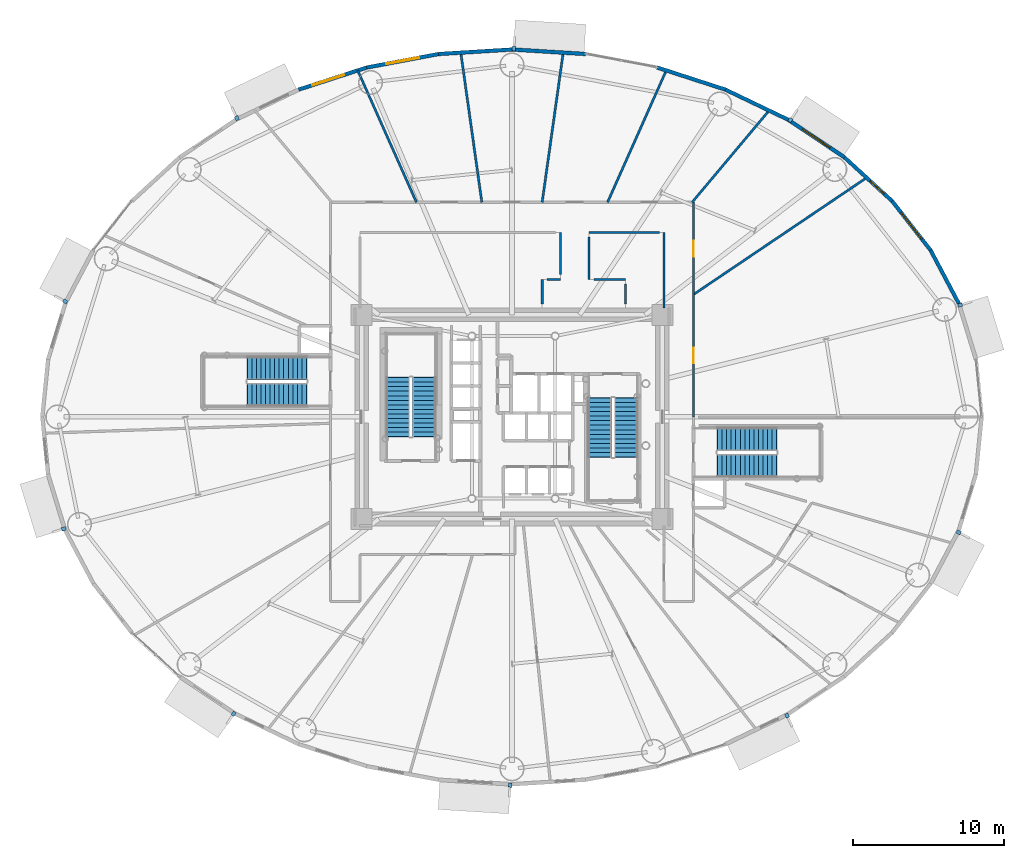
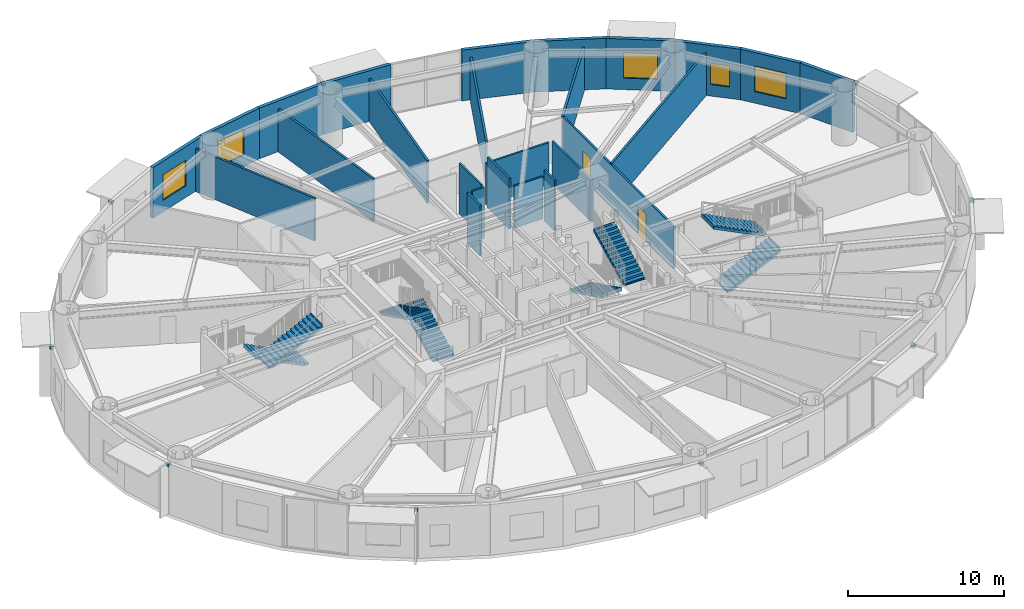
# One storey, part 20 of 32: 25 walls, 10 discrete accessories, 8 stair flights, 5 windows, 2 doors, 7 openings, 4 elements without a shape of their own.
"""IFC4 building model written with IfcOpenShell, lengths in metres."""

from ifc_helpers import new_model, si_unit, direction, frame, frame_2d, origin, origin_2d, place, context, subcontext, project, spatial, polyline, rectangle, outline, extrude, source, transform, mapped, material, layer, layer_set, type_object, element, fill, aggregate, save


model = new_model("IFC4")

# Units and contexts
model_context = context("Model", 3, precision=1e-05, world=origin(), true_north=direction((0.0, 1.0)))
body_context = subcontext(model_context, "Body", "Model", "MODEL_VIEW")
ifc_project = project(units=[si_unit("LENGTHUNIT", "METRE"), si_unit("AREAUNIT", "SQUARE_METRE"), si_unit("VOLUMEUNIT", "CUBIC_METRE"), si_unit("PLANEANGLEUNIT", "RADIAN"), si_unit("MASSUNIT", "GRAM", prefix="KILO")], contexts=[model_context])

# Site, building, storey
site_placement = place(None, origin())
site = spatial("IfcSite", under=ifc_project, at=site_placement, CompositionType="ELEMENT")
building_placement = place(site_placement, origin())
building = spatial("IfcBuilding", under=site, at=building_placement, Name="Linh Dai School and Residence Tower", CompositionType="ELEMENT")
storey_placement = place(building_placement, frame((0.0, 0.0, 53.39990234375)))
storey = spatial("IfcBuildingStorey", under=building, at=storey_placement, Name="L12", CompositionType="ELEMENT", Elevation=53.39990234375)

# Wall
ifc_material_1 = material(Name="Precast Concrete B45 (C35/45)", Category="concrete")
ifc_layer_1 = layer(ifc_material_1, 0.25)
ifc_layer_set_1 = layer_set([ifc_layer_1], Name="Precast Concrete B45 (C35/45)")
wall_type_1 = type_object("IfcWallType", Name="EW-TC-250", PredefinedType="SOLIDWALL", material=ifc_layer_set_1)
wall_1_placement = place(storey_placement, frame((63.694580078125, 38.022705078125, 0.0), z_axis=(0.0, 0.0, 1.0), x_axis=(0.467662443071, -0.883907144072, 0.0)))
element("IfcWall", 1, at=wall_1_placement, inside=storey, type_object=wall_type_1, Name="L12 Terracotta Exterior Wall 03", PredefinedType="SOLIDWALL", context=body_context, shape_type="SweptSolid", body=[
    extrude(rectangle(XDim=3.983642578125, YDim=0.25, at=frame_2d((1.99169921875, 0.0))), origin(), (0.0, 0.0, 1.0), 3.9501953125),
])

# Wall, opening, window
wall_2_placement = place(storey_placement, frame((61.149658203125, 41.274658203125, 0.0), z_axis=(0.0, 0.0, 1.0), x_axis=(0.616295508253, -0.787514981767, 0.0)))
wall_2 = element("IfcWall", 2, at=wall_2_placement, inside=storey, type_object=wall_type_1, Name="L12 Terracotta Exterior Wall 04", PredefinedType="SOLIDWALL", context=body_context, shape_type="SweptSolid", body=[
    extrude(rectangle(XDim=4.12939453125, YDim=0.25, at=frame_2d((2.064697265625, 0.0))), origin(), (0.0, 0.0, 1.0), 3.9501953125),
])
opening_1_placement = place(wall_2_placement, frame((0.964599609375, 0.0, 0.89990234375)))
opening_1 = element("IfcOpeningElement", 3, at=opening_1_placement, cuts=wall_2, Name="Opening W4", PredefinedType="OPENING", context=body_context, shape_type="SweptSolid", body=[
    extrude(rectangle(XDim=2.199951171875, YDim=2.0, at=origin_2d()), frame((1.10009765625, 0.135009765625, 1.0), z_axis=(0.0, -1.0, 0.0), x_axis=(1.0, 0.0, 0.0)), (0.0, 0.0, 1.0), 0.27001953125),
])
ifc_material_2 = material(Name="Acoustic Laminated Low-E Glazing", Category="glass")
window_type_1 = type_object("IfcWindowType", Name="WN-SCH-2200x2000", PartitioningType="TRIPLE_PANEL_VERTICAL", PredefinedType="WINDOW", material=ifc_material_2)
shared_shape_1 = source(origin(), body_context, "Body", "SweptSolid", [
    extrude(rectangle(XDim=2.199951171875, YDim=2.0, at=origin_2d()), frame((1.10009765625, 0.030029296875, 1.0), z_axis=(0.0, -1.0, 0.0), x_axis=(1.0, 0.0, 0.0)), (0.0, 0.0, 1.0), 0.06005859375),
])
window_1_placement = place(opening_1_placement, origin())
window_1 = element("IfcWindow", 4, at=window_1_placement, inside=storey, type_object=window_type_1, Name="L12 Exterior Window 04.1", OverallHeight=2.0, OverallWidth=2.199951171875, PartitioningType="TRIPLE_PANEL_VERTICAL", PredefinedType="WINDOW", context=body_context, shape_type="MappedRepresentation", body=[
    mapped(shared_shape_1, transform((0.0, 0.0, 0.0), x_axis=(1.0, 0.0, 0.0), y_axis=(0.0, 1.0, 0.0), z_axis=(0.0, 0.0, 1.0), scale=1.0)),
])
fill(opening_1, window_1)

wall_3_placement = place(storey_placement, frame((57.984619140625, 44.17626953125, 0.0), z_axis=(0.0, 0.0, 1.0), x_axis=(0.737116376281, -0.67576582321, 0.0)))
wall_3 = element("IfcWall", 5, at=wall_3_placement, inside=storey, type_object=wall_type_1, Name="L12 Terracotta Exterior Wall 05", PredefinedType="SOLIDWALL", context=body_context, shape_type="SweptSolid", body=[
    extrude(rectangle(XDim=4.293701171875, YDim=0.25, at=frame_2d((2.14697265625, 0.0))), origin(), (0.0, 0.0, 1.0), 3.9501953125),
])
opening_2_placement = place(wall_3_placement, frame((2.3125, 0.0, 0.89990234375)))
opening_2 = element("IfcOpeningElement", 6, at=opening_2_placement, cuts=wall_3, Name="Opening W3", PredefinedType="OPENING", context=body_context, shape_type="SweptSolid", body=[
    extrude(rectangle(XDim=1.25, YDim=1.64990234375, at=origin_2d()), frame((0.625, 0.135009765625, 0.824951171875), z_axis=(0.0, -1.0, 0.0), x_axis=(1.0, 0.0, 0.0)), (0.0, 0.0, 1.0), 0.27001953125),
])
ifc_material_3 = material(Name="Double Low-E Insulated Glazing", Category="glass")
window_type_2 = type_object("IfcWindowType", Name="WN-RES-1250x1650", PartitioningType="SINGLE_PANEL", PredefinedType="WINDOW", material=ifc_material_3)
shared_shape_2 = source(origin(), body_context, "Body", "SweptSolid", [
    extrude(rectangle(XDim=1.25, YDim=1.64990234375, at=origin_2d()), frame((0.625, 0.030029296875, 0.824951171875), z_axis=(0.0, -1.0, 0.0), x_axis=(1.0, 0.0, 0.0)), (0.0, 0.0, 1.0), 0.06005859375),
])
window_2_placement = place(opening_2_placement, origin())
window_2 = element("IfcWindow", 7, at=window_2_placement, inside=storey, type_object=window_type_2, Name="L12 Exterior Window 05.1", OverallHeight=1.64990234375, OverallWidth=1.25, PartitioningType="SINGLE_PANEL", PredefinedType="WINDOW", context=body_context, shape_type="MappedRepresentation", body=[
    mapped(shared_shape_2, transform((0.0, 0.0, 0.0), x_axis=(1.0, 0.0, 0.0), y_axis=(0.0, 1.0, 0.0), z_axis=(0.0, 0.0, 1.0), scale=1.0)),
])
fill(opening_2, window_2)

wall_4_placement = place(storey_placement, frame((54.277099609375, 46.65576171875, 0.0), z_axis=(0.0, 0.0, 1.0), x_axis=(0.831240982525, -0.555912249343, 0.0)))
wall_4 = element("IfcWall", 8, at=wall_4_placement, inside=storey, type_object=wall_type_1, Name="L12 Terracotta Exterior Wall 06", PredefinedType="SOLIDWALL", context=body_context, shape_type="SweptSolid", body=[
    extrude(rectangle(XDim=4.460205078125, YDim=0.25, at=frame_2d((2.22998046875, 0.0))), origin(), (0.0, 0.0, 1.0), 3.9501953125),
])
opening_3_placement = place(wall_4_placement, frame((1.1298828125, 0.0, 0.89990234375)))
opening_3 = element("IfcOpeningElement", 9, at=opening_3_placement, cuts=wall_4, Name="Opening W4", PredefinedType="OPENING", context=body_context, shape_type="SweptSolid", body=[
    extrude(rectangle(XDim=2.199951171875, YDim=2.0, at=origin_2d()), frame((1.10009765625, 0.135009765625, 1.0), z_axis=(0.0, -1.0, 0.0), x_axis=(1.0, 0.0, 0.0)), (0.0, 0.0, 1.0), 0.27001953125),
])
window_3_placement = place(opening_3_placement, origin())
window_3 = element("IfcWindow", 10, at=window_3_placement, inside=storey, type_object=window_type_1, Name="L12 Exterior Window 06.1", OverallHeight=2.0, OverallWidth=2.199951171875, PartitioningType="TRIPLE_PANEL_VERTICAL", PredefinedType="WINDOW", context=body_context, shape_type="MappedRepresentation", body=[
    mapped(shared_shape_1, transform((0.0, 0.0, 0.0), x_axis=(1.0, 0.0, 0.0), y_axis=(0.0, 1.0, 0.0), z_axis=(0.0, 0.0, 1.0), scale=1.0)),
])
fill(opening_3, window_3)

# Walls
wall_5_placement = place(storey_placement, frame((50.1181640625, 48.651123046875, 0.0), z_axis=(0.0, 0.0, 1.0), x_axis=(0.901601503137, -0.432567601123, 0.0)))
element("IfcWall", 11, at=wall_5_placement, inside=storey, type_object=wall_type_1, Name="L12 Terracotta Exterior Wall 07", PredefinedType="SOLIDWALL", context=body_context, shape_type="SweptSolid", body=[
    extrude(rectangle(XDim=4.61279296875, YDim=0.25, at=frame_2d((2.306396484375, 0.0))), origin(), (0.0, 0.0, 1.0), 3.9501953125),
])
wall_6_placement = place(storey_placement, frame((45.610595703125, 50.11328125, 0.0), z_axis=(0.0, 0.0, 1.0), x_axis=(0.951207699013, -0.308551313946, 0.0)))
element("IfcWall", 12, at=wall_6_placement, inside=storey, type_object=wall_type_1, Name="L12 Terracotta Exterior Wall 08", PredefinedType="SOLIDWALL", context=body_context, shape_type="SweptSolid", body=[
    extrude(rectangle(XDim=4.73876953125, YDim=0.25, at=frame_2d((2.369384765625, 0.0))), origin(), (0.0, 0.0, 1.0), 3.9501953125),
])
for number, where, z_axis, x_axis, name in (
    (13, (36.0, 51.304931640625, 0.0), (0.0, 0.0, 1.0), (0.998106954071, -0.061502099433, 0.0), "L12 Terracotta Exterior Wall 10"),
    (14, (31.134521484375, 51.005126953125, 0.0), (0.0, 0.0, 1.0), (0.998106954071, 0.061502099433, 0.0), "L12 Terracotta Exterior Wall 11"),
):
    element("IfcWall", number, at=place(storey_placement, frame(where, z_axis=z_axis, x_axis=x_axis)), inside=storey, type_object=wall_type_1, Name=name, PredefinedType="SOLIDWALL", context=body_context, shape_type="SweptSolid", body=[
        extrude(rectangle(XDim=4.874755859375, YDim=0.25, at=frame_2d((2.4375, 0.0))), origin(), (0.0, 0.0, 1.0), 3.9501953125),
    ])

# Wall, opening, window
wall_7_placement = place(storey_placement, frame((26.389404296875, 50.11328125, 0.0), z_axis=(0.0, 0.0, 1.0), x_axis=(0.982791952378, 0.184715939598, 0.0)))
wall_7 = element("IfcWall", 15, at=wall_7_placement, inside=storey, type_object=wall_type_1, Name="L12 Terracotta Exterior Wall 12", PredefinedType="SOLIDWALL", context=body_context, shape_type="SweptSolid", body=[
    extrude(rectangle(XDim=4.828125, YDim=0.25, at=frame_2d((2.4140625, 0.0))), origin(), (0.0, 0.0, 1.0), 3.9501953125),
])
opening_4_placement = place(wall_7_placement, frame((1.314208984375, 0.0, 0.89990234375)))
opening_4 = element("IfcOpeningElement", 16, at=opening_4_placement, cuts=wall_7, Name="Opening W4", PredefinedType="OPENING", context=body_context, shape_type="SweptSolid", body=[
    extrude(rectangle(XDim=2.199951171875, YDim=2.0, at=origin_2d()), frame((1.10009765625, 0.135009765625, 1.0), z_axis=(0.0, -1.0, 0.0), x_axis=(1.0, 0.0, 0.0)), (0.0, 0.0, 1.0), 0.27001953125),
])
window_4_placement = place(opening_4_placement, origin())
window_4 = element("IfcWindow", 17, at=window_4_placement, inside=storey, type_object=window_type_1, Name="L12 Exterior Window 12.1", OverallHeight=2.0, OverallWidth=2.199951171875, PartitioningType="TRIPLE_PANEL_VERTICAL", PredefinedType="WINDOW", context=body_context, shape_type="MappedRepresentation", body=[
    mapped(shared_shape_1, transform((0.0, 0.0, 0.0), x_axis=(1.0, 0.0, 0.0), y_axis=(0.0, 1.0, 0.0), z_axis=(0.0, 0.0, 1.0), scale=1.0)),
])
fill(opening_4, window_4)

wall_8_placement = place(storey_placement, frame((21.8818359375, 48.651123046875, 0.0), z_axis=(0.0, 0.0, 1.0), x_axis=(0.951207699013, 0.308551313946, 0.0)))
wall_8 = element("IfcWall", 18, at=wall_8_placement, inside=storey, type_object=wall_type_1, Name="L12 Terracotta Exterior Wall 13", PredefinedType="SOLIDWALL", context=body_context, shape_type="SweptSolid", body=[
    extrude(rectangle(XDim=4.73876953125, YDim=0.25, at=frame_2d((2.369384765625, 0.0))), origin(), (0.0, 0.0, 1.0), 3.9501953125),
])
opening_5_placement = place(wall_8_placement, frame((0.9677734375, 0.0, 0.89990234375)))
opening_5 = element("IfcOpeningElement", 19, at=opening_5_placement, cuts=wall_8, Name="Opening W4", PredefinedType="OPENING", context=body_context, shape_type="SweptSolid", body=[
    extrude(rectangle(XDim=2.199951171875, YDim=2.0, at=origin_2d()), frame((1.10009765625, 0.135009765625, 1.0), z_axis=(0.0, -1.0, 0.0), x_axis=(1.0, 0.0, 0.0)), (0.0, 0.0, 1.0), 0.27001953125),
])
window_5_placement = place(opening_5_placement, origin())
window_5 = element("IfcWindow", 20, at=window_5_placement, inside=storey, type_object=window_type_1, Name="L12 Exterior Window 13.1", OverallHeight=2.0, OverallWidth=2.199951171875, PartitioningType="TRIPLE_PANEL_VERTICAL", PredefinedType="WINDOW", context=body_context, shape_type="MappedRepresentation", body=[
    mapped(shared_shape_1, transform((0.0, 0.0, 0.0), x_axis=(1.0, 0.0, 0.0), y_axis=(0.0, 1.0, 0.0), z_axis=(0.0, 0.0, 1.0), scale=1.0)),
])
fill(opening_5, window_5)

# Wall, openings, doors
ifc_material_4 = material(Name="Autoclaved Aerated Concrete Blockwork", Category="masonry")
ifc_layer_2 = layer(ifc_material_4, 0.135009765625)
ifc_layer_set_2 = layer_set([ifc_layer_2], Name="Autoclaved Aerated Concrete Blockwork")
wall_type_2 = type_object("IfcWallType", Name="IW-CORR-135-EI90", PredefinedType="PARTITIONING", material=ifc_layer_set_2)
wall_9_placement = place(storey_placement, frame((48.0, 27.0, 0.0), z_axis=(0.0, 0.0, 1.0), x_axis=(0.0, 1.0, 0.0)))
wall_9 = element("IfcWall", 21, at=wall_9_placement, inside=storey, type_object=wall_type_2, Name="L12 Interior Partition Wall 070", PredefinedType="PARTITIONING", context=body_context, shape_type="SweptSolid", body=[
    extrude(rectangle(XDim=14.199951171875, YDim=0.135009765625, at=frame_2d((7.10009765625, 0.0))), origin(), (0.0, 0.0, 1.0), 3.28515625),
])
opening_6_placement = place(wall_9_placement, frame((3.5419921875, 0.0, 0.0)))
opening_6 = element("IfcOpeningElement", 22, at=opening_6_placement, cuts=wall_9, Name="Opening D04", PredefinedType="OPENING", context=body_context, shape_type="SweptSolid", body=[
    extrude(rectangle(XDim=1.050048828125, YDim=2.14990234375, at=origin_2d()), frame((0.52490234375, 0.07763671875, 1.074951171875), z_axis=(0.0, -1.0, 0.0), x_axis=(1.0, 0.0, 0.0)), (0.0, 0.0, 1.0), 0.155029296875),
])
opening_7_placement = place(wall_9_placement, frame((10.60205078125, 0.0, 0.0)))
opening_7 = element("IfcOpeningElement", 23, at=opening_7_placement, cuts=wall_9, Name="Opening D04", PredefinedType="OPENING", context=body_context, shape_type="SweptSolid", body=[
    extrude(rectangle(XDim=1.050048828125, YDim=2.14990234375, at=origin_2d()), frame((0.52490234375, 0.07763671875, 1.074951171875), z_axis=(0.0, -1.0, 0.0), x_axis=(1.0, 0.0, 0.0)), (0.0, 0.0, 1.0), 0.155029296875),
])
ifc_material_5 = material(Name="Acoustic Vision-Panel Timber Classroom Door", Category="wood")
door_type = type_object("IfcDoorType", Name="DR-SCH-1050x2150-FD60S", OperationType="NOTDEFINED", PredefinedType="DOOR", material=ifc_material_5)
shared_shape_3 = source(origin(), body_context, "Body", "SweptSolid", [
    extrude(rectangle(XDim=1.050048828125, YDim=2.14990234375, at=origin_2d()), frame((0.52490234375, 0.02490234375, 1.074951171875), z_axis=(0.0, -1.0, 0.0), x_axis=(1.0, 0.0, 0.0)), (0.0, 0.0, 1.0), 0.050048828125),
])
door_1_placement = place(opening_6_placement, origin())
door_1 = element("IfcDoor", 24, at=door_1_placement, inside=storey, type_object=door_type, Name="L12 Sixth-Form Quiet Study Library Door", OperationType="SINGLE_SWING_LEFT", OverallHeight=2.14990234375, OverallWidth=1.050048828125, PredefinedType="DOOR", context=body_context, shape_type="MappedRepresentation", body=[
    mapped(shared_shape_3, transform((0.0, 0.0, 0.0), x_axis=(1.0, 0.0, 0.0), y_axis=(0.0, 1.0, 0.0), z_axis=(0.0, 0.0, 1.0), scale=1.0)),
])
fill(opening_6, door_1)
door_2_placement = place(opening_7_placement, origin())
door_2 = element("IfcDoor", 25, at=door_2_placement, inside=storey, type_object=door_type, Name="L12 Sixth-Form Seminar Room 1 Door", OperationType="SINGLE_SWING_RIGHT", OverallHeight=2.14990234375, OverallWidth=1.050048828125, PredefinedType="DOOR", context=body_context, shape_type="MappedRepresentation", body=[
    mapped(shared_shape_3, transform((0.0, 0.0, 0.0), x_axis=(1.0, 0.0, 0.0), y_axis=(0.0, 1.0, 0.0), z_axis=(0.0, 0.0, 1.0), scale=1.0)),
])
fill(opening_7, door_2)

# Walls
wall_10_placement = place(storey_placement, frame((46.050048828125, 34.199951171875, 0.0), z_axis=(0.0, 0.0, 1.0), x_axis=(0.0, 1.0, 0.0)))
element("IfcWall", 26, at=wall_10_placement, inside=storey, type_object=wall_type_2, Name="L12 Interior Partition Wall 092", PredefinedType="PARTITIONING", context=body_context, shape_type="SweptSolid", body=[
    extrude(rectangle(XDim=5.0, YDim=0.135009765625, at=frame_2d((2.5, 0.0))), origin(), (0.0, 0.0, 1.0), 3.28515625),
])
wall_11_placement = place(storey_placement, frame((45.742431640625, 39.199951171875, 0.0), z_axis=(0.0, 0.0, 1.0), x_axis=(-1.0, 0.0, 0.0)))
element("IfcWall", 27, at=wall_11_placement, inside=storey, type_object=wall_type_2, Name="L12 Interior Partition Wall 093", PredefinedType="PARTITIONING", context=body_context, shape_type="SweptSolid", body=[
    extrude(rectangle(XDim=4.642333984375, YDim=0.135009765625, at=frame_2d((2.3212890625, 0.0))), origin(), (0.0, 0.0, 1.0), 3.28515625),
])
wall_12_placement = place(storey_placement, frame((41.10009765625, 38.892578125, 0.0), z_axis=(0.0, 0.0, 1.0), x_axis=(0.0, -1.0, 0.0)))
element("IfcWall", 28, at=wall_12_placement, inside=storey, type_object=wall_type_2, Name="L12 Interior Partition Wall 094", PredefinedType="PARTITIONING", context=body_context, shape_type="SweptSolid", body=[
    extrude(rectangle(XDim=2.79248046875, YDim=0.135009765625, at=frame_2d((1.396240234375, 0.0))), origin(), (0.0, 0.0, 1.0), 3.9501953125),
])
wall_13_placement = place(storey_placement, frame((41.407470703125, 36.10009765625, 0.0), z_axis=(0.0, 0.0, 1.0), x_axis=(1.0, 0.0, 0.0)))
element("IfcWall", 29, at=wall_13_placement, inside=storey, type_object=wall_type_2, Name="L12 Interior Partition Wall 095", PredefinedType="PARTITIONING", context=body_context, shape_type="SweptSolid", body=[
    extrude(rectangle(XDim=2.092529296875, YDim=0.135009765625, at=frame_2d((1.04638671875, 0.0))), origin(), (0.0, 0.0, 1.0), 3.28515625),
])
wall_14_placement = place(storey_placement, frame((43.5, 35.79248046875, 0.0), z_axis=(0.0, 0.0, 1.0), x_axis=(0.0, -1.0, 0.0)))
element("IfcWall", 30, at=wall_14_placement, inside=storey, type_object=wall_type_2, Name="L12 Interior Partition Wall 096", PredefinedType="PARTITIONING", context=body_context, shape_type="SweptSolid", body=[
    extrude(rectangle(XDim=1.33251953125, YDim=0.135009765625, at=frame_2d((0.666259765625, 0.0))), origin(), (0.0, 0.0, 1.0), 3.9501953125),
])
wall_15_placement = place(storey_placement, frame((38.0, 34.4599609375, 0.0), z_axis=(0.0, 0.0, 1.0), x_axis=(0.0, 1.0, 0.0)))
element("IfcWall", 31, at=wall_15_placement, inside=storey, type_object=wall_type_2, Name="L12 Interior Partition Wall 097", PredefinedType="PARTITIONING", context=body_context, shape_type="SweptSolid", body=[
    extrude(rectangle(XDim=1.64013671875, YDim=0.135009765625, at=frame_2d((0.820068359375, 0.0))), origin(), (0.0, 0.0, 1.0), 3.9501953125),
])
wall_16_placement = place(storey_placement, frame((38.3076171875, 36.10009765625, 0.0), z_axis=(0.0, 0.0, 1.0), x_axis=(1.0, 0.0, 0.0)))
element("IfcWall", 32, at=wall_16_placement, inside=storey, type_object=wall_type_2, Name="L12 Interior Partition Wall 098", PredefinedType="PARTITIONING", context=body_context, shape_type="SweptSolid", body=[
    extrude(rectangle(XDim=0.892333984375, YDim=0.135009765625, at=frame_2d((0.4462890625, 0.0))), origin(), (0.0, 0.0, 1.0), 3.9501953125),
])
wall_17_placement = place(storey_placement, frame((39.199951171875, 36.407470703125, 0.0), z_axis=(0.0, 0.0, 1.0), x_axis=(0.0, 1.0, 0.0)))
element("IfcWall", 33, at=wall_17_placement, inside=storey, type_object=wall_type_2, Name="L12 Interior Partition Wall 099", PredefinedType="PARTITIONING", context=body_context, shape_type="SweptSolid", body=[
    extrude(rectangle(XDim=2.79248046875, YDim=0.135009765625, at=frame_2d((1.396240234375, 0.0))), origin(), (0.0, 0.0, 1.0), 3.9501953125),
])
ifc_layer_3 = layer(ifc_material_4, 0.14990234375)
ifc_layer_set_3 = layer_set([ifc_layer_3], Name="Autoclaved Aerated Concrete Blockwork")
wall_type_3 = type_object("IfcWallType", Name="IW-SCH-150-EI60", PredefinedType="PARTITIONING", material=ifc_layer_set_3)
wall_18_placement = place(storey_placement, frame((25.793212890625, 49.925048828125, 0.0), z_axis=(0.0, 0.0, 1.0), x_axis=(0.406724210801, -0.913550992747, 0.0)))
element("IfcWall", 34, at=wall_18_placement, inside=storey, type_object=wall_type_3, Name="L12 Interior Partition Wall 016", PredefinedType="PARTITIONING", context=body_context, shape_type="SweptSolid", body=[
    extrude(rectangle(XDim=9.55078125, YDim=0.14990234375, at=frame_2d((4.775390625, 0.0))), origin(), (0.0, 0.0, 1.0), 3.335205078125),
])
for number, where, z_axis, x_axis, name in (
    (35, (32.61279296875, 51.101318359375, 0.0), (0.0, 0.0, 1.0), (0.139178510171, -0.990267308511, 0.0), "L12 Interior Partition Wall 028"),
    (36, (37.99560546875, 41.199951171875, 0.0), (0.0, 0.0, 1.0), (0.139178510171, 0.990267308511, 0.0), "L12 Interior Partition Wall 047"),
):
    element("IfcWall", number, at=place(storey_placement, frame(where, z_axis=z_axis, x_axis=x_axis)), inside=storey, type_object=wall_type_3, Name=name, PredefinedType="PARTITIONING", context=body_context, shape_type="SweptSolid", body=[
        extrude(rectangle(XDim=9.998779296875, YDim=0.14990234375, at=frame_2d((4.99951171875, 0.0))), origin(), (0.0, 0.0, 1.0), 3.335205078125),
    ])
wall_19_placement = place(storey_placement, frame((42.322265625, 41.199951171875, 0.0), z_axis=(0.0, 0.0, 1.0), x_axis=(0.406724210801, 0.913550992747, 0.0)))
element("IfcWall", 37, at=wall_19_placement, inside=storey, type_object=wall_type_3, Name="L12 Interior Partition Wall 059", PredefinedType="PARTITIONING", context=body_context, shape_type="SweptSolid", body=[
    extrude(rectangle(XDim=9.55078125, YDim=0.14990234375, at=frame_2d((4.775390625, 0.0))), origin(), (0.0, 0.0, 1.0), 3.335205078125),
])
wall_20_placement = place(storey_placement, frame((47.915283203125, 41.199951171875, 0.0), z_axis=(0.0, 0.0, 1.0), x_axis=(0.642793123836, 0.766039816164, 0.0)))
element("IfcWall", 38, at=wall_20_placement, inside=storey, type_object=wall_type_3, Name="L12 Interior Partition Wall 063", PredefinedType="PARTITIONING", context=body_context, shape_type="SweptSolid", body=[
    extrude(rectangle(XDim=7.923583984375, YDim=0.14990234375, at=frame_2d((3.9619140625, 0.0))), origin(), (0.0, 0.0, 1.0), 3.335205078125),
])
wall_21_placement = place(storey_placement, frame((48.0, 35.093994140625, 0.0), z_axis=(0.0, 0.0, 1.0), x_axis=(0.829036724814, 0.559194160296, 0.0)))
element("IfcWall", 39, at=wall_21_placement, inside=storey, type_object=wall_type_3, Name="L12 Interior Partition Wall 071", PredefinedType="PARTITIONING", context=body_context, shape_type="SweptSolid", body=[
    extrude(rectangle(XDim=13.828125, YDim=0.14990234375, at=frame_2d((6.9140625, 0.0))), origin(), (0.0, 0.0, 1.0), 3.335205078125),
])

# Stair, stair flights
ifc_material_6 = material(Name="Concrete B45 (C35/45)", Category="concrete")
stair_type = type_object("IfcStairType", Name="ST-DOG-1550-R1500", PredefinedType="HALF_TURN_STAIR", material=ifc_material_6)
stair_1_placement = place(storey_placement, origin())
stair_1 = element("IfcStair", 40, at=stair_1_placement, inside=storey, type_object=stair_type, Name="L12 Core Smokeproof Exit Stair ST1", PredefinedType="HALF_TURN_STAIR")
stair_flight_type = type_object("IfcStairFlightType", Name="STF-STR-1550-R1500", PredefinedType="STRAIGHT", material=ifc_material_6)
shared_shape_4 = source(origin(), body_context, "Body", "SweptSolid", [
    extrude(outline(polyline([(-0.02490234375, 0.0), (-0.02490234375, 0.06005859375), (0.0, 0.06005859375), (0.0, 0.14990234375), (0.300048828125, 0.14990234375), (0.300048828125, 0.300048828125), (0.60009765625, 0.300048828125), (0.60009765625, 0.449951171875), (0.89990234375, 0.449951171875), (0.89990234375, 0.60009765625), (1.199951171875, 0.60009765625), (1.199951171875, 0.75), (1.5, 0.75), (1.5, 0.89990234375), (1.800048828125, 0.89990234375), (1.800048828125, 1.050048828125), (2.10009765625, 1.050048828125), (2.10009765625, 1.199951171875), (2.39990234375, 1.199951171875), (2.39990234375, 1.35009765625), (2.699951171875, 1.35009765625), (2.699951171875, 1.5), (3.0, 1.5), (3.0, 1.64990234375), (3.300048828125, 1.64990234375), (3.300048828125, 1.800048828125), (3.60009765625, 1.800048828125), (3.60009765625, 1.949951171875), (3.89990234375, 1.949951171875), (3.89990234375, 2.10009765625), (3.925048828125, 2.10009765625), (3.925048828125, 1.782470703125), (3.89990234375, 1.782470703125), (0.335205078125, 0.0), (-0.02490234375, 0.0)])), frame((0.0, 0.77490234375, 0.0), z_axis=(0.0, -1.0, 0.0), x_axis=(1.0, 0.0, 0.0)), (0.0, 0.0, 1.0), 1.550048828125),
])
stair_flight_1_placement = place(storey_placement, frame((30.205078125, 25.699951171875, 0.0), z_axis=(0.0, 0.0, 1.0), x_axis=(0.0, 1.0, 0.0)))
stair_flight_1 = element("IfcStairFlight", 41, at=stair_flight_1_placement, type_object=stair_flight_type, Name="ST1 flight 1", NumberOfRisers=14, NumberOfTreads=13, PredefinedType="STRAIGHT", RiserHeight=0.15, TreadLength=0.3, context=body_context, shape_type="MappedRepresentation", body=[
    mapped(shared_shape_4, transform((0.0, 0.0, 0.0), x_axis=(1.0, 0.0, 0.0), y_axis=(0.0, 1.0, 0.0), z_axis=(0.0, 0.0, 1.0), scale=1.0)),
])
stair_flight_2_placement = place(storey_placement, frame((28.455078125, 29.60009765625, 2.10009765625), z_axis=(0.0, 0.0, 1.0), x_axis=(0.0, -1.0, 0.0)))
stair_flight_2 = element("IfcStairFlight", 42, at=stair_flight_2_placement, type_object=stair_flight_type, Name="ST1 flight 2", NumberOfRisers=14, NumberOfTreads=13, PredefinedType="STRAIGHT", RiserHeight=0.15, TreadLength=0.3, context=body_context, shape_type="MappedRepresentation", body=[
    mapped(shared_shape_4, transform((0.0, 0.0, 0.0), x_axis=(1.0, 0.0, 0.0), y_axis=(0.0, 1.0, 0.0), z_axis=(0.0, 0.0, 1.0), scale=1.0)),
])
aggregate(stair_1, [stair_flight_1, stair_flight_2])

stair_2_placement = place(storey_placement, origin())
stair_2 = element("IfcStair", 43, at=stair_2_placement, inside=storey, type_object=stair_type, Name="L12 Core Smokeproof Exit Stair ST2", PredefinedType="HALF_TURN_STAIR")
stair_flight_3_placement = place(storey_placement, frame((41.794921875, 28.25, 0.0), z_axis=(0.0, 0.0, 1.0), x_axis=(0.0, -1.0, 0.0)))
stair_flight_3 = element("IfcStairFlight", 44, at=stair_flight_3_placement, type_object=stair_flight_type, Name="ST2 flight 1", NumberOfRisers=14, NumberOfTreads=13, PredefinedType="STRAIGHT", RiserHeight=0.15, TreadLength=0.3, context=body_context, shape_type="MappedRepresentation", body=[
    mapped(shared_shape_4, transform((0.0, 0.0, 0.0), x_axis=(1.0, 0.0, 0.0), y_axis=(0.0, 1.0, 0.0), z_axis=(0.0, 0.0, 1.0), scale=1.0)),
])
stair_flight_4_placement = place(storey_placement, frame((43.544921875, 24.35009765625, 2.10009765625), z_axis=(0.0, 0.0, 1.0), x_axis=(0.0, 1.0, 0.0)))
stair_flight_4 = element("IfcStairFlight", 45, at=stair_flight_4_placement, type_object=stair_flight_type, Name="ST2 flight 2", NumberOfRisers=14, NumberOfTreads=13, PredefinedType="STRAIGHT", RiserHeight=0.15, TreadLength=0.3, context=body_context, shape_type="MappedRepresentation", body=[
    mapped(shared_shape_4, transform((0.0, 0.0, 0.0), x_axis=(1.0, 0.0, 0.0), y_axis=(0.0, 1.0, 0.0), z_axis=(0.0, 0.0, 1.0), scale=1.0)),
])
aggregate(stair_2, [stair_flight_3, stair_flight_4])

stair_3_placement = place(storey_placement, origin())
stair_3 = element("IfcStair", 46, at=stair_3_placement, inside=storey, type_object=stair_type, Name="L12 School Exit Stair STS1", PredefinedType="HALF_TURN_STAIR")
stair_flight_5_placement = place(storey_placement, frame((22.39990234375, 30.22509765625, 0.0), z_axis=(0.0, 0.0, 1.0), x_axis=(-1.0, 0.0, 0.0)))
stair_flight_5 = element("IfcStairFlight", 47, at=stair_flight_5_placement, type_object=stair_flight_type, Name="STS1 flight 1", NumberOfRisers=14, NumberOfTreads=13, PredefinedType="STRAIGHT", RiserHeight=0.15, TreadLength=0.3, context=body_context, shape_type="MappedRepresentation", body=[
    mapped(shared_shape_4, transform((0.0, 0.0, 0.0), x_axis=(1.0, 0.0, 0.0), y_axis=(0.0, 1.0, 0.0), z_axis=(0.0, 0.0, 1.0), scale=1.0)),
])
stair_flight_6_placement = place(storey_placement, frame((18.5, 28.47509765625, 2.10009765625), z_axis=(0.0, 0.0, 1.0), x_axis=(1.0, 0.0, 0.0)))
stair_flight_6 = element("IfcStairFlight", 48, at=stair_flight_6_placement, type_object=stair_flight_type, Name="STS1 flight 2", NumberOfRisers=14, NumberOfTreads=13, PredefinedType="STRAIGHT", RiserHeight=0.15, TreadLength=0.3, context=body_context, shape_type="MappedRepresentation", body=[
    mapped(shared_shape_4, transform((0.0, 0.0, 0.0), x_axis=(1.0, 0.0, 0.0), y_axis=(0.0, 1.0, 0.0), z_axis=(0.0, 0.0, 1.0), scale=1.0)),
])
aggregate(stair_3, [stair_flight_5, stair_flight_6])

stair_4_placement = place(storey_placement, origin())
stair_4 = element("IfcStair", 49, at=stair_4_placement, inside=storey, type_object=stair_type, Name="L12 School Exit Stair STS2", PredefinedType="HALF_TURN_STAIR")
stair_flight_7_placement = place(storey_placement, frame((49.60009765625, 23.77490234375, 0.0), z_axis=(0.0, 0.0, 1.0), x_axis=(1.0, 0.0, 0.0)))
stair_flight_7 = element("IfcStairFlight", 50, at=stair_flight_7_placement, type_object=stair_flight_type, Name="STS2 flight 1", NumberOfRisers=14, NumberOfTreads=13, PredefinedType="STRAIGHT", RiserHeight=0.15, TreadLength=0.3, context=body_context, shape_type="MappedRepresentation", body=[
    mapped(shared_shape_4, transform((0.0, 0.0, 0.0), x_axis=(1.0, 0.0, 0.0), y_axis=(0.0, 1.0, 0.0), z_axis=(0.0, 0.0, 1.0), scale=1.0)),
])
stair_flight_8_placement = place(storey_placement, frame((53.5, 25.52490234375, 2.10009765625), z_axis=(0.0, 0.0, 1.0), x_axis=(-1.0, 0.0, 0.0)))
stair_flight_8 = element("IfcStairFlight", 51, at=stair_flight_8_placement, type_object=stair_flight_type, Name="STS2 flight 2", NumberOfRisers=14, NumberOfTreads=13, PredefinedType="STRAIGHT", RiserHeight=0.15, TreadLength=0.3, context=body_context, shape_type="MappedRepresentation", body=[
    mapped(shared_shape_4, transform((0.0, 0.0, 0.0), x_axis=(1.0, 0.0, 0.0), y_axis=(0.0, 1.0, 0.0), z_axis=(0.0, 0.0, 1.0), scale=1.0)),
])
aggregate(stair_4, [stair_flight_7, stair_flight_8])

# Discrete accessories
ifc_material_7 = material(Name="Structural Steel S355JR", Category="steel")
discrete_accessory_type = type_object("IfcDiscreteAccessoryType", Name="ACC-BRK-S355", PredefinedType="BRACKET", material=ifc_material_7)
shared_shape_5 = source(origin(), body_context, "Body", "SweptSolid", [
    extrude(rectangle(XDim=0.280029296875, YDim=0.239990234375, at=origin_2d()), origin(), (0.0, 0.0, 1.0), 0.219970703125),
])
for number, where, z_axis, x_axis, name in (
    (52, (65.650146484375, 34.404296875, 3.7001953125), (0.0, 0.0, 1.0), (0.956067769001, 0.293145733514, 0.0), "L12 Facade Frame Anchor Bracket 02"),
    (53, (54.41015625, 46.638916015625, 3.7001953125), (0.0, 0.0, 1.0), (0.555897899828, 0.831250578927, 0.0), "L12 Facade Frame Anchor Bracket 06"),
    (54, (36.12353515625, 51.357421875, 3.7001953125), (0.0, 0.0, 1.0), (0.061506595367, 0.998106677027, 0.0), "L12 Facade Frame Anchor Bracket 10"),
    (55, (17.80517578125, 46.76171875, 3.7001953125), (0.0, 0.0, 1.0), (-0.432603008528, 0.901584514626, 0.0), "L12 Facade Frame Anchor Bracket 14"),
    (56, (6.445556640625, 34.635498046875, 3.7001953125), (0.0, 0.0, 1.0), (-0.883933862645, 0.467611940042, 0.0), "L12 Facade Frame Anchor Bracket 18"),
    (57, (6.349853515625, 19.595703125, 3.7001953125), (0.0, 0.0, 1.0), (-0.956067769001, -0.293145733514, 0.0), "L12 Facade Frame Anchor Bracket 22"),
    (58, (17.58984375, 7.361083984375, 3.7001953125), (0.0, 0.0, 1.0), (-0.555897899828, -0.831250578927, 0.0), "L12 Facade Frame Anchor Bracket 26"),
    (59, (35.87646484375, 2.642578125, 3.7001953125), (0.0, 0.0, 1.0), (-0.061506595367, -0.998106677027, 0.0), "L12 Facade Frame Anchor Bracket 30"),
    (60, (54.19482421875, 7.23828125, 3.7001953125), (0.0, 0.0, 1.0), (0.432603008528, -0.901584514626, 0.0), "L12 Facade Frame Anchor Bracket 34"),
    (61, (65.554443359375, 19.364501953125, 3.7001953125), (0.0, 0.0, 1.0), (0.883933862645, -0.467611940042, 0.0), "L12 Facade Frame Anchor Bracket 38"),
):
    element("IfcDiscreteAccessory", number, at=place(storey_placement, frame(where, z_axis=z_axis, x_axis=x_axis)), inside=storey, type_object=discrete_accessory_type, Name=name, PredefinedType="BRACKET", context=body_context, shape_type="MappedRepresentation", body=[
        mapped(shared_shape_5, transform((0.0, 0.0, 0.0), x_axis=(1.0, 0.0, 0.0), y_axis=(0.0, 1.0, 0.0), z_axis=(0.0, 0.0, 1.0), scale=1.0)),
    ])

save(model, "model.ifc")
